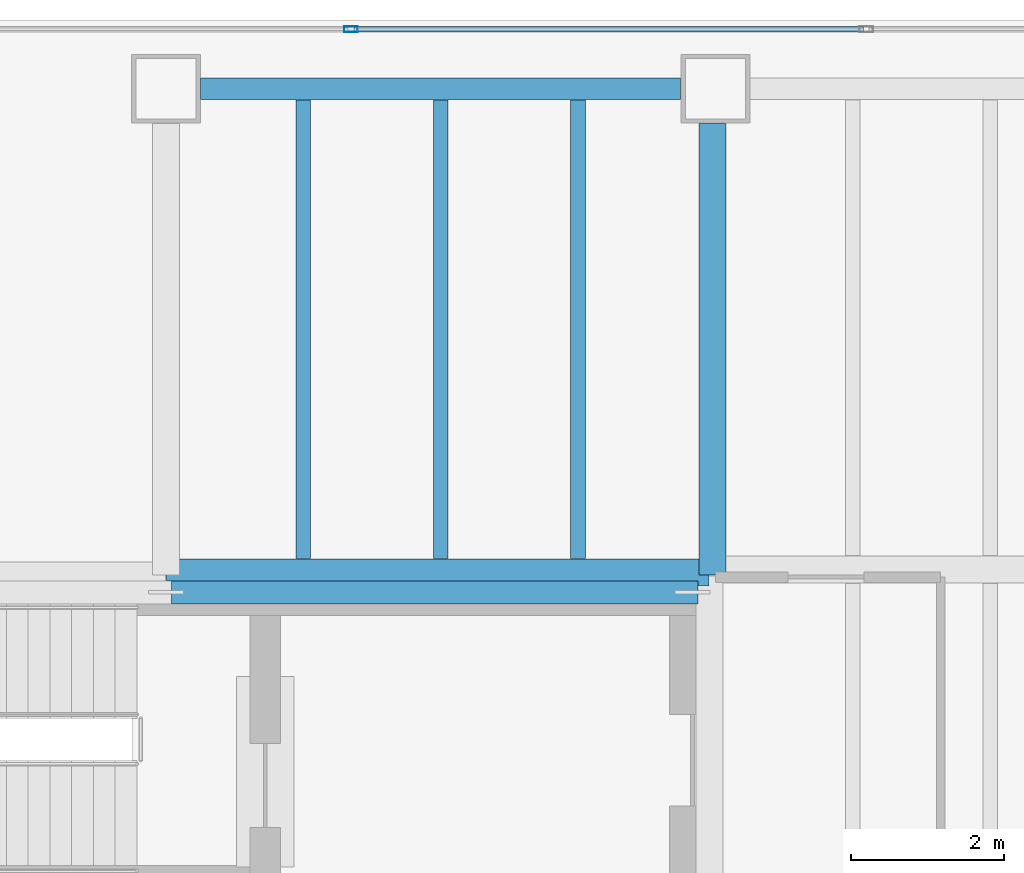
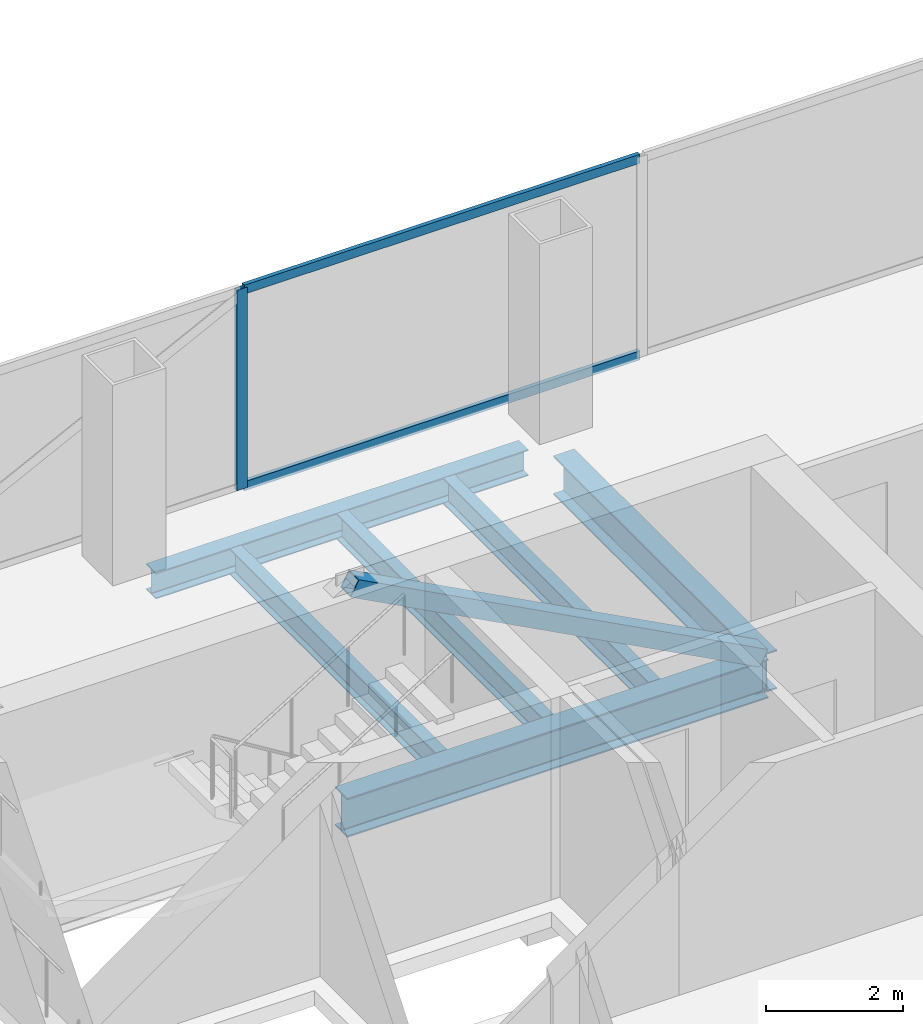
# One storey, part 17 of 23: 6 beams, 4 members, 1 element without a shape of its own.
"""IFC4 building model written with IfcOpenShell, lengths in metres."""

from ifc_helpers import new_model, si_unit, direction, frame, origin, origin_2d, place, context, subcontext, project, spatial, hollow_rectangle, i_section, extrude, material, material_profile, profile_set, type_object, element, aggregate, save


model = new_model("IFC4")

# Units and contexts
model_context = context("Model", 3, precision=1e-05, world=origin(), true_north=direction((0.0, 1.0)))
body_context = subcontext(model_context, "Body", "Model", "MODEL_VIEW")
ifc_project = project(units=[si_unit("LENGTHUNIT", "METRE"), si_unit("AREAUNIT", "SQUARE_METRE"), si_unit("VOLUMEUNIT", "CUBIC_METRE"), si_unit("PLANEANGLEUNIT", "RADIAN"), si_unit("MASSUNIT", "GRAM", prefix="KILO")], contexts=[model_context])

# Site, building, storey
site_placement = place(None, origin())
site = spatial("IfcSite", under=ifc_project, at=site_placement, CompositionType="ELEMENT")
building_placement = place(site_placement, origin())
building = spatial("IfcBuilding", under=site, at=building_placement, Name="Cobrela Telecom Tower", CompositionType="ELEMENT")
storey_placement = place(building_placement, frame((0.0, 0.0, 125.300048828125)))
storey = spatial("IfcBuildingStorey", under=building, at=storey_placement, Name="L31", CompositionType="ELEMENT", Elevation=125.300048828125)

# Beams
ifc_material_1 = material(Name="Steel ASTM A992 Grade 50", Category="steel")
ifc_material_profile_1 = material_profile(ifc_material_1, i_section(OverallWidth=0.35595703125, OverallDepth=0.696044921875, WebThickness=0.015380859375, FlangeThickness=0.024658203125, FilletRadius=0.01806640625, at=origin_2d()), Name="W27X146")
ifc_profile_set_1 = profile_set([ifc_material_profile_1], Name="Steel ASTM A992 Grade 50")
beam_type_1 = type_object("IfcBeamType", Name="BM-GIRD-05", PredefinedType="USERDEFINED", material=ifc_profile_set_1)
beam_1_placement = place(storey_placement, frame((7.205078125, 35.9599609375, -0.6181640625), z_axis=(1.0, 0.0, 0.0), x_axis=(0.0, 1.0, 0.0)))
element("IfcBeam", 1, at=beam_1_placement, inside=storey, type_object=beam_type_1, Name="L31 Primary Girder X26", ObjectType="GIRDER", PredefinedType="USERDEFINED", context=body_context, shape_type="SweptSolid", body=[
    extrude(i_section(OverallWidth=0.35595703125, OverallDepth=0.696044921875, WebThickness=0.015380859375, FlangeThickness=0.024658203125, FilletRadius=0.01806640625, at=origin_2d()), origin(), (0.0, 0.0, 1.0), 7.10986328125),
])
beam_2_placement = place(storey_placement, frame((14.360107421875, 35.925048828125, -0.6181640625), z_axis=(0.0, 1.0, 0.0), x_axis=(-1.0, 0.0, 0.0)))
element("IfcBeam", 2, at=beam_2_placement, inside=storey, type_object=beam_type_1, Name="L31 Primary Girder Y38", ObjectType="GIRDER", PredefinedType="USERDEFINED", context=body_context, shape_type="SweptSolid", body=[
    extrude(i_section(OverallWidth=0.35595703125, OverallDepth=0.696044921875, WebThickness=0.015380859375, FlangeThickness=0.024658203125, FilletRadius=0.01806640625, at=origin_2d()), origin(), (0.0, 0.0, 1.0), 5.919921875),
])
ifc_material_profile_2 = material_profile(ifc_material_1, i_section(OverallWidth=0.193115234375, OverallDepth=0.467041015625, WebThickness=0.011474609375, FlangeThickness=0.01904296875, FilletRadius=0.012939453125, at=origin_2d()), Name="W18X65")
ifc_profile_set_2 = profile_set([ifc_material_profile_2], Name="Steel ASTM A992 Grade 50")
beam_type_2 = type_object("IfcBeamType", Name="BM-JOIST-03", PredefinedType="JOIST", material=ifc_profile_set_2)
for number, where, z_axis, x_axis, name in (
    (3, (9.0, 36.14306640625, -0.503662109375), (0.0, 1.0, 0.0), (-1.0, 0.0, 0.0), "L31 Secondary Composite Floor Beam J01"),
    (4, (10.800048828125, 36.14306640625, -0.503662109375), (0.0, 1.0, 0.0), (-1.0, 0.0, 0.0), "L31 Secondary Composite Floor Beam J02"),
    (5, (12.60009765625, 36.14306640625, -0.503662109375), (0.0, 1.0, 0.0), (-1.0, 0.0, 0.0), "L31 Secondary Composite Floor Beam J03"),
):
    element("IfcBeam", number, at=place(storey_placement, frame(where, z_axis=z_axis, x_axis=x_axis)), inside=storey, type_object=beam_type_2, Name=name, PredefinedType="JOIST", context=body_context, shape_type="SweptSolid", body=[
        extrude(i_section(OverallWidth=0.193115234375, OverallDepth=0.467041015625, WebThickness=0.011474609375, FlangeThickness=0.01904296875, FilletRadius=0.012939453125, at=origin_2d()), origin(), (0.0, 0.0, 1.0), 6.010986328125),
    ])
ifc_material_profile_3 = material_profile(ifc_material_1, i_section(OverallWidth=0.281982421875, OverallDepth=0.467041015625, WebThickness=0.01220703125, FlangeThickness=0.01953125, FilletRadius=0.012939453125, at=origin_2d()), Name="W18X86")
ifc_profile_set_3 = profile_set([ifc_material_profile_3], Name="Steel ASTM A992 Grade 50")
beam_type_3 = type_object("IfcBeamType", Name="BM-SPAND-04", PredefinedType="SPANDREL", material=ifc_profile_set_3)
beam_3_placement = place(storey_placement, frame((7.655029296875, 42.300048828125, -0.503662109375), z_axis=(1.0, 0.0, 0.0), x_axis=(0.0, 1.0, 0.0)))
element("IfcBeam", 6, at=beam_3_placement, inside=storey, type_object=beam_type_3, Name="L31 Perimeter Spandrel X29", PredefinedType="SPANDREL", context=body_context, shape_type="SweptSolid", body=[
    extrude(i_section(OverallWidth=0.281982421875, OverallDepth=0.467041015625, WebThickness=0.01220703125, FlangeThickness=0.01953125, FilletRadius=0.012939453125, at=origin_2d()), origin(), (0.0, 0.0, 1.0), 6.2900390625),
])

# Curtain wall, members
ifc_material_2 = material(Name="Anodized Bronze Aluminium 6063-T6", Category="aluminium")
curtain_wall_type = type_object("IfcCurtainWallType", Name="CW-SYS-TEL", PredefinedType="USERDEFINED", material=ifc_material_2)
curtain_wall_placement = place(storey_placement, origin())
curtain_wall = element("IfcCurtainWall", 7, at=curtain_wall_placement, inside=storey, type_object=curtain_wall_type, Name="L31 Unitised Bronze Curtain Wall 07", ObjectType="UNITISED CURTAIN WALL", PredefinedType="USERDEFINED")
ifc_material_profile_4 = material_profile(ifc_material_2, hollow_rectangle(XDim=0.074951171875, YDim=0.179931640625, WallThickness=0.00390625, at=origin_2d()), Name="ALU 75x180x4")
ifc_profile_set_4 = profile_set([ifc_material_profile_4], Name="Anodized Bronze Aluminium 6063-T6")
member_type_1 = type_object("IfcMemberType", Name="CW-SYS-TEL-MUL", PredefinedType="MULLION", material=ifc_profile_set_4)
member_1_placement = place(storey_placement, frame((9.623291015625, 43.080078125, 0.0), z_axis=(0.0, 0.0, 1.0), x_axis=(0.0, 1.0, 0.0)))
member_1 = element("IfcMember", 8, at=member_1_placement, type_object=member_type_1, Name="CW-TEL mullion 2", PredefinedType="MULLION", context=body_context, shape_type="SweptSolid", body=[
    extrude(hollow_rectangle(XDim=0.074951171875, YDim=0.179931640625, WallThickness=0.00390625, at=origin_2d()), origin(), (0.0, 0.0, 1.0), 3.579833984375),
])
ifc_material_profile_5 = material_profile(ifc_material_2, hollow_rectangle(XDim=0.070068359375, YDim=0.159912109375, WallThickness=0.00390625, at=origin_2d()), Name="ALU 70x160x4")
ifc_profile_set_5 = profile_set([ifc_material_profile_5], Name="Anodized Bronze Aluminium 6063-T6")
member_type_2 = type_object("IfcMemberType", Name="CW-SYS-TEL-TRN", PredefinedType="USERDEFINED", material=ifc_profile_set_5)
member_2_placement = place(storey_placement, frame((9.660888671875, 43.080078125, 0.034912109375), z_axis=(1.0, 0.0, 0.0), x_axis=(0.0, 1.0, 0.0)))
member_2 = element("IfcMember", 9, at=member_2_placement, type_object=member_type_2, Name="CW-TEL transom 2.1", ObjectType="TRANSOM", PredefinedType="USERDEFINED", context=body_context, shape_type="SweptSolid", body=[
    extrude(hollow_rectangle(XDim=0.070068359375, YDim=0.159912109375, WallThickness=0.00390625, at=origin_2d()), origin(), (0.0, 0.0, 1.0), 6.67822265625),
])
member_3_placement = place(storey_placement, frame((9.660888671875, 43.080078125, 3.544921875), z_axis=(1.0, 0.0, 0.0), x_axis=(0.0, 1.0, 0.0)))
member_3 = element("IfcMember", 10, at=member_3_placement, type_object=member_type_2, Name="CW-TEL transom 2.2", ObjectType="TRANSOM", PredefinedType="USERDEFINED", context=body_context, shape_type="SweptSolid", body=[
    extrude(hollow_rectangle(XDim=0.070068359375, YDim=0.159912109375, WallThickness=0.00390625, at=origin_2d()), origin(), (0.0, 0.0, 1.0), 6.67822265625),
])
aggregate(curtain_wall, [member_1, member_2, member_3])

# Member
ifc_material_3 = material(Name="Steel ASTM A572 Grade 50", Category="steel")
ifc_material_profile_6 = material_profile(ifc_material_3, hollow_rectangle(XDim=0.300048828125, YDim=0.300048828125, WallThickness=0.01611328125, at=origin_2d()), Name="HSS 300x300x16")
ifc_profile_set_6 = profile_set([ifc_material_profile_6], Name="Steel ASTM A572 Grade 50")
member_type_3 = type_object("IfcMemberType", Name="MBR-EXO-03", PredefinedType="BRACE", material=ifc_profile_set_6)
member_4_placement = place(storey_placement, frame((14.10009765625, 35.699951171875, -0.0400390625), z_axis=(-0.883422698386, 0.0, 0.468576926423), x_axis=(0.0, -1.0, 0.0)))
element("IfcMember", 11, at=member_4_placement, inside=storey, type_object=member_type_3, Name="L31 Core Flange Steel Brace N2", PredefinedType="BRACE", context=body_context, shape_type="SweptSolid", body=[
    extrude(hollow_rectangle(XDim=0.300048828125, YDim=0.300048828125, WallThickness=0.01611328125, at=origin_2d()), origin(), (0.0, 0.0, 1.0), 7.810791015625),
])

save(model, "model.ifc")
